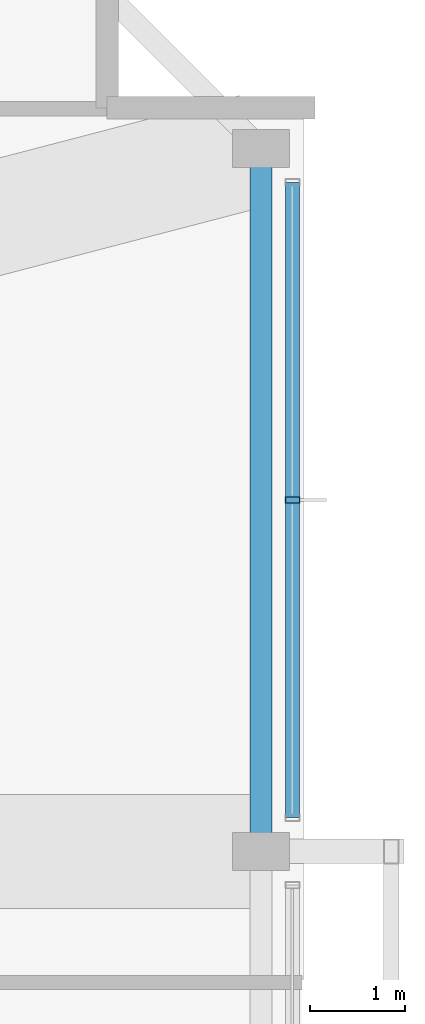
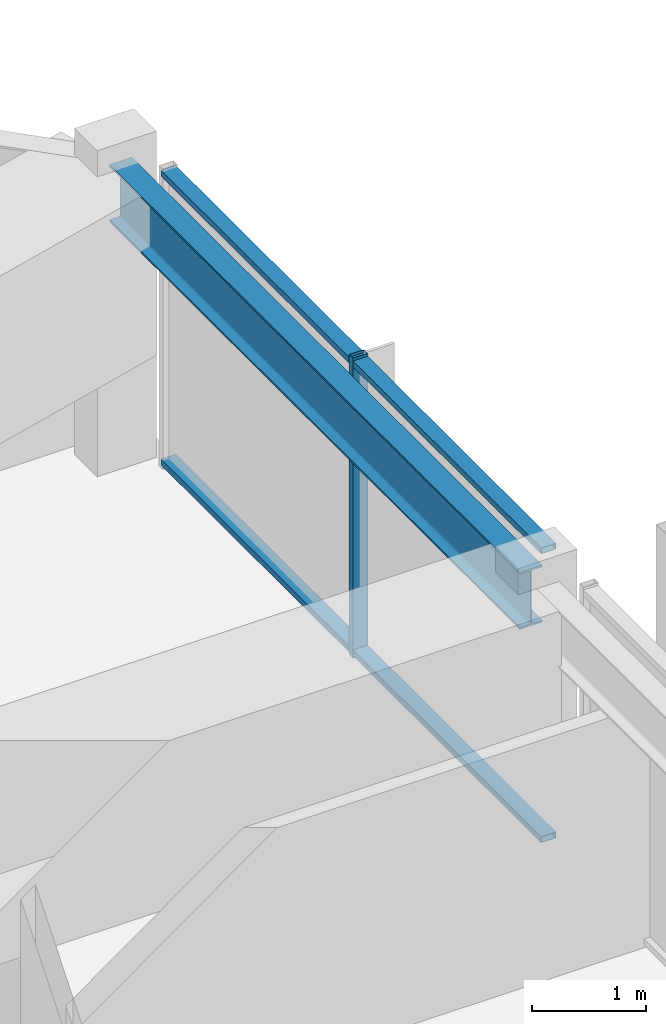
# One storey, part 13 of 30: 3 members, 1 beam, 1 element without a shape of its own.
"""IFC4 building model written with IfcOpenShell, lengths in metres."""

from ifc_helpers import new_model, si_unit, direction, frame, origin, origin_2d, place, context, subcontext, project, spatial, hollow_rectangle, i_section, extrude, material, material_profile, profile_set, type_object, element, aggregate, save


model = new_model("IFC4")

# Units and contexts
model_context = context("Model", 3, precision=1e-05, world=origin(), true_north=direction((0.0, 1.0)))
body_context = subcontext(model_context, "Body", "Model", "MODEL_VIEW")
ifc_project = project(units=[si_unit("LENGTHUNIT", "METRE"), si_unit("AREAUNIT", "SQUARE_METRE"), si_unit("VOLUMEUNIT", "CUBIC_METRE"), si_unit("PLANEANGLEUNIT", "RADIAN"), si_unit("MASSUNIT", "GRAM", prefix="KILO")], contexts=[model_context])

# Site, building, storey
site_placement = place(None, origin())
site = spatial("IfcSite", under=ifc_project, at=site_placement, CompositionType="ELEMENT")
building_placement = place(site_placement, origin())
building = spatial("IfcBuilding", under=site, at=building_placement, Name="Kolvaren Belvedere", CompositionType="ELEMENT")
storey_placement = place(building_placement, frame((0.0, 0.0, 254.89990234375)))
storey = spatial("IfcBuildingStorey", under=building, at=storey_placement, Name="L74", CompositionType="ELEMENT", Elevation=254.89990234375)

# Beam
ifc_material_1 = material(Name="Structural steel ASTM A992 Grade 50", Category="steel")
ifc_material_profile_1 = material_profile(ifc_material_1, i_section(OverallWidth=0.22900390625, OverallDepth=0.612060546875, WebThickness=0.011962890625, FlangeThickness=0.01953125, FilletRadius=0.01806640625, at=origin_2d()), Name="W24X84")
ifc_profile_set_1 = profile_set([ifc_material_profile_1], Name="Structural steel ASTM A992 Grade 50")
beam_type = type_object("IfcBeamType", Name="BM-SPAN-W24X84", PredefinedType="SPANDREL", material=ifc_profile_set_1)
beam_placement = place(storey_placement, frame((17.949951171875, 4.68994140625, 2.9140625), z_axis=(0.0, 1.0, 0.0), x_axis=(-1.0, 0.0, 0.0)))
element("IfcBeam", 1, at=beam_placement, inside=storey, type_object=beam_type, Name="L74 Perimeter Spandrel E3-E4", PredefinedType="SPANDREL", context=body_context, shape_type="SweptSolid", body=[
    extrude(i_section(OverallWidth=0.22900390625, OverallDepth=0.612060546875, WebThickness=0.011962890625, FlangeThickness=0.01953125, FilletRadius=0.01806640625, at=origin_2d()), origin(), (0.0, 0.0, 1.0), 7.219970703125),
])

# Curtain wall, members
ifc_material_2 = material(Name="Anodised pale-metal aluminium AA 6063-T6", Category="aluminium")
curtain_wall_type = type_object("IfcCurtainWallType", Name="CW-Z5-HIGH", PredefinedType="NOTDEFINED", material=ifc_material_2)
curtain_wall_placement = place(storey_placement, origin())
curtain_wall = element("IfcCurtainWall", 2, at=curtain_wall_placement, inside=storey, type_object=curtain_wall_type, Name="L74 Unitised Curtain Wall FCW-L74-E-B1", PredefinedType="NOTDEFINED")
ifc_material_3 = material(Name="Anodised pale-metal aluminium AA 6063-T6", Category="aluminium")
ifc_material_profile_2 = material_profile(ifc_material_3, hollow_rectangle(XDim=0.070068359375, YDim=0.14990234375, WallThickness=0.004150390625, at=origin_2d()), Name="ALU-MUL-150X70")
ifc_profile_set_2 = profile_set([ifc_material_profile_2], Name="Anodised pale-metal aluminium AA 6063-T6")
member_type_1 = type_object("IfcMemberType", Name="CW-MUL-150", PredefinedType="MULLION", material=ifc_profile_set_2)
member_1_placement = place(storey_placement, frame((18.280029296875, 8.300048828125, 0.0), z_axis=(0.0, 0.0, 1.0), x_axis=(0.0, 1.0, 0.0)))
member_1 = element("IfcMember", 3, at=member_1_placement, type_object=member_type_1, Name="FCW-L74-E-B1 Unitised Mullion 2", PredefinedType="MULLION", context=body_context, shape_type="SweptSolid", body=[
    extrude(hollow_rectangle(XDim=0.070068359375, YDim=0.14990234375, WallThickness=0.004150390625, at=origin_2d()), origin(), (0.0, 0.0, 1.0), 3.22021484375),
])
ifc_material_4 = material(Name="Anodised pale-metal aluminium AA 6063-T6", Category="aluminium")
ifc_material_profile_3 = material_profile(ifc_material_4, hollow_rectangle(XDim=0.06494140625, YDim=0.14990234375, WallThickness=0.00390625, at=origin_2d()), Name="ALU-TRN-150X65")
ifc_profile_set_3 = profile_set([ifc_material_profile_3], Name="Anodised pale-metal aluminium AA 6063-T6")
member_type_2 = type_object("IfcMemberType", Name="CW-TRN-150", PredefinedType="USERDEFINED", material=ifc_profile_set_3)
member_2_placement = place(storey_placement, frame((18.280029296875, 11.64501953125, 0.06005859375), z_axis=(0.0, -1.0, 0.0), x_axis=(0.0, 0.0, 1.0)))
member_2 = element("IfcMember", 4, at=member_2_placement, type_object=member_type_2, Name="FCW-L74-E-B1 Sill Transom", ObjectType="TRANSOM", PredefinedType="USERDEFINED", context=body_context, shape_type="SweptSolid", body=[
    extrude(hollow_rectangle(XDim=0.06494140625, YDim=0.14990234375, WallThickness=0.00390625, at=origin_2d()), origin(), (0.0, 0.0, 1.0), 6.68994140625),
])
member_3_placement = place(storey_placement, frame((18.280029296875, 11.64501953125, 3.16015625), z_axis=(0.0, -1.0, 0.0), x_axis=(0.0, 0.0, 1.0)))
member_3 = element("IfcMember", 5, at=member_3_placement, type_object=member_type_2, Name="FCW-L74-E-B1 Head Transom", ObjectType="TRANSOM", PredefinedType="USERDEFINED", context=body_context, shape_type="SweptSolid", body=[
    extrude(hollow_rectangle(XDim=0.06494140625, YDim=0.14990234375, WallThickness=0.00390625, at=origin_2d()), origin(), (0.0, 0.0, 1.0), 6.68994140625),
])
aggregate(curtain_wall, [member_1, member_2, member_3])

save(model, "model.ifc")
